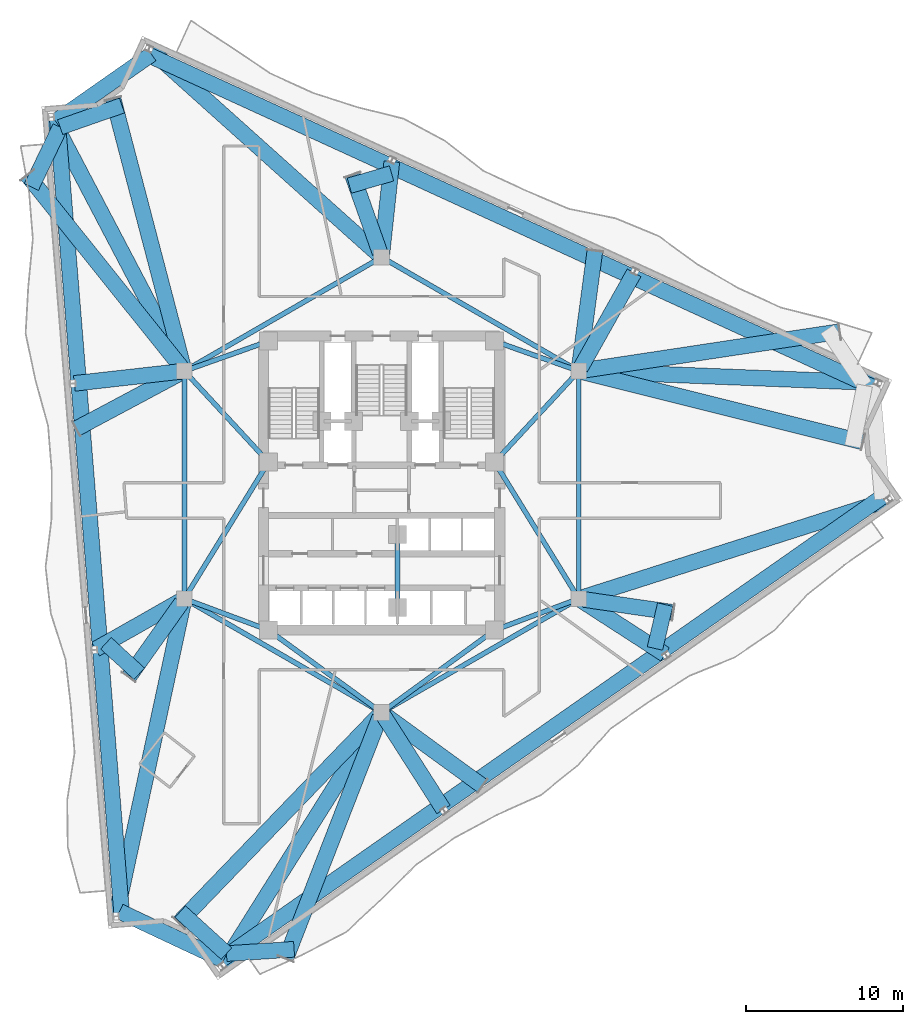
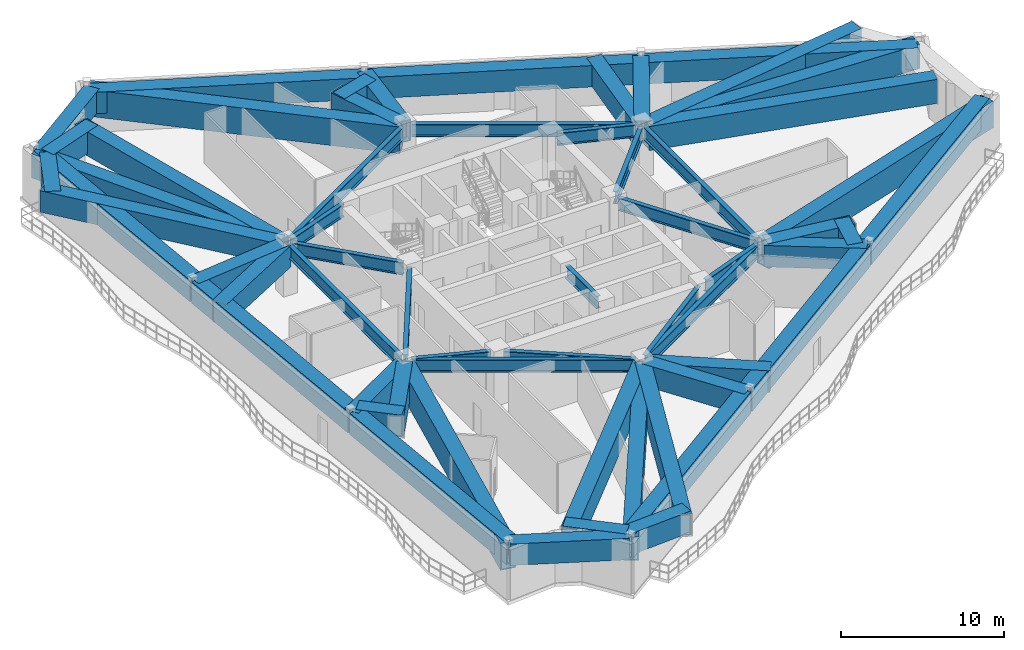
# One storey, part 3 of 14: 59 beams.
"""IFC4 building model written with IfcOpenShell, lengths in metres."""

from ifc_helpers import new_model, si_unit, direction, frame, origin, origin_2d, place, context, subcontext, project, spatial, hollow_rectangle, i_section, extrude, material, material_profile, profile_set, type_object, element, save


model = new_model("IFC4")

# Units and contexts
model_context = context("Model", 3, precision=1e-05, world=origin(), true_north=direction((0.0, 1.0)))
body_context = subcontext(model_context, "Body", "Model", "MODEL_VIEW")
ifc_project = project(units=[si_unit("LENGTHUNIT", "METRE"), si_unit("AREAUNIT", "SQUARE_METRE"), si_unit("VOLUMEUNIT", "CUBIC_METRE"), si_unit("PLANEANGLEUNIT", "RADIAN"), si_unit("MASSUNIT", "GRAM", prefix="KILO")], contexts=[model_context])

# Site, building, storey
site_placement = place(None, origin())
site = spatial("IfcSite", under=ifc_project, at=site_placement, CompositionType="ELEMENT")
building_placement = place(site_placement, origin())
building = spatial("IfcBuilding", under=site, at=building_placement, Name="Apsidion Concourse Tower", CompositionType="ELEMENT")
storey_placement = place(building_placement, frame((0.0, 0.0, 222.89990234375)))
storey = spatial("IfcBuildingStorey", under=building, at=storey_placement, Name="L52", CompositionType="ELEMENT", Elevation=222.89990234375)

# Beams
ifc_material_1 = material(Name="Structural steel ASTM A992 Grade 50", Category="steel")
ifc_material_profile_1 = material_profile(ifc_material_1, i_section(OverallWidth=0.31005859375, OverallDepth=0.931884765625, WebThickness=0.02099609375, FlangeThickness=0.034423828125, at=origin_2d()), Name="W36X210")
ifc_profile_set_1 = profile_set([ifc_material_profile_1], Name="Structural steel ASTM A992 Grade 50")
beam_type_1 = type_object("IfcBeamType", Name="BM-G-W36", PredefinedType="USERDEFINED", material=ifc_profile_set_1)
beam_1_placement = place(storey_placement, frame((-12.185302734375, -7.389892578125, 3.2841796875), z_axis=(0.936913021145, -0.349562570664, 0.0), x_axis=(0.349562570664, 0.936913021145, 0.0)))
element("IfcBeam", 1, at=beam_1_placement, inside=storey, type_object=beam_type_1, Name="L52 Core Coupling Girder IC1-SC1", ObjectType="GIRDER", PredefinedType="USERDEFINED", context=body_context, shape_type="SweptSolid", body=[
    extrude(i_section(OverallWidth=0.31005859375, OverallDepth=0.931884765625, WebThickness=0.02099609375, FlangeThickness=0.034423828125, at=origin_2d()), origin(), (0.0, 0.0, 1.0), 4.921142578125),
])
beam_2_placement = place(storey_placement, frame((-12.35009765625, -6.909423828125, 3.2841796875), z_axis=(0.524524009763, 0.851395656074, 0.0), x_axis=(-0.851395656074, 0.524524009763, 0.0)))
element("IfcBeam", 2, at=beam_2_placement, inside=storey, type_object=beam_type_1, Name="L52 Core Coupling Girder IC1-SC6", ObjectType="GIRDER", PredefinedType="USERDEFINED", context=body_context, shape_type="SweptSolid", body=[
    extrude(i_section(OverallWidth=0.31005859375, OverallDepth=0.931884765625, WebThickness=0.02099609375, FlangeThickness=0.034423828125, at=origin_2d()), origin(), (0.0, 0.0, 1.0), 9.41845703125),
])
beam_3_placement = place(storey_placement, frame((12.185302734375, -7.389892578125, 3.2841796875), z_axis=(-0.936913021145, -0.349562570664, 0.0), x_axis=(0.349562570664, -0.936913021145, 0.0)))
element("IfcBeam", 3, at=beam_3_placement, inside=storey, type_object=beam_type_1, Name="L52 Core Coupling Girder IC2-SC2", ObjectType="GIRDER", PredefinedType="USERDEFINED", context=body_context, shape_type="SweptSolid", body=[
    extrude(i_section(OverallWidth=0.31005859375, OverallDepth=0.931884765625, WebThickness=0.02099609375, FlangeThickness=0.034423828125, at=origin_2d()), origin(), (0.0, 0.0, 1.0), 4.921142578125),
])
beam_4_placement = place(storey_placement, frame((12.35009765625, -6.909423828125, 3.2841796875), z_axis=(-0.524524009763, 0.851395656074, 0.0), x_axis=(-0.851395656074, -0.524524009763, 0.0)))
element("IfcBeam", 4, at=beam_4_placement, inside=storey, type_object=beam_type_1, Name="L52 Core Coupling Girder IC2-SC3", ObjectType="GIRDER", PredefinedType="USERDEFINED", context=body_context, shape_type="SweptSolid", body=[
    extrude(i_section(OverallWidth=0.31005859375, OverallDepth=0.931884765625, WebThickness=0.02099609375, FlangeThickness=0.034423828125, at=origin_2d()), origin(), (0.0, 0.0, 1.0), 9.41845703125),
])
beam_5_placement = place(storey_placement, frame((12.28857421875, 6.956298828125, 3.2841796875), z_axis=(-0.678712876106, -0.73440372535, 0.0), x_axis=(0.73440372535, -0.678712876106, 0.0)))
element("IfcBeam", 5, at=beam_5_placement, inside=storey, type_object=beam_type_1, Name="L52 Core Coupling Girder IC3-SC3", ObjectType="GIRDER", PredefinedType="USERDEFINED", context=body_context, shape_type="SweptSolid", body=[
    extrude(i_section(OverallWidth=0.31005859375, OverallDepth=0.931884765625, WebThickness=0.02099609375, FlangeThickness=0.034423828125, at=origin_2d()), origin(), (0.0, 0.0, 1.0), 7.097412109375),
])
beam_6_placement = place(storey_placement, frame((12.18310546875, 7.383544921875, 3.2841796875), z_axis=(-0.942533844539, 0.334110688094, 0.0), x_axis=(-0.334110688094, -0.942533844539, 0.0)))
element("IfcBeam", 6, at=beam_6_placement, inside=storey, type_object=beam_type_1, Name="L52 Core Coupling Girder IC3-SC4", ObjectType="GIRDER", PredefinedType="USERDEFINED", context=body_context, shape_type="SweptSolid", body=[
    extrude(i_section(OverallWidth=0.31005859375, OverallDepth=0.931884765625, WebThickness=0.02099609375, FlangeThickness=0.034423828125, at=origin_2d()), origin(), (0.0, 0.0, 1.0), 4.886962890625),
])
beam_7_placement = place(storey_placement, frame((-12.28857421875, 6.956298828125, 3.2841796875), z_axis=(0.678712876106, -0.73440372535, 0.0), x_axis=(0.73440372535, 0.678712876106, 0.0)))
element("IfcBeam", 7, at=beam_7_placement, inside=storey, type_object=beam_type_1, Name="L52 Core Coupling Girder IC5-SC6", ObjectType="GIRDER", PredefinedType="USERDEFINED", context=body_context, shape_type="SweptSolid", body=[
    extrude(i_section(OverallWidth=0.31005859375, OverallDepth=0.931884765625, WebThickness=0.02099609375, FlangeThickness=0.034423828125, at=origin_2d()), origin(), (0.0, 0.0, 1.0), 7.097412109375),
])
beam_8_placement = place(storey_placement, frame((-12.18310546875, 7.383544921875, 3.2841796875), z_axis=(0.942533844539, 0.334110688094, 0.0), x_axis=(-0.334110688094, 0.942533844539, 0.0)))
element("IfcBeam", 8, at=beam_8_placement, inside=storey, type_object=beam_type_1, Name="L52 Core Coupling Girder IC5-SC5", ObjectType="GIRDER", PredefinedType="USERDEFINED", context=body_context, shape_type="SweptSolid", body=[
    extrude(i_section(OverallWidth=0.31005859375, OverallDepth=0.931884765625, WebThickness=0.02099609375, FlangeThickness=0.034423828125, at=origin_2d()), origin(), (0.0, 0.0, 1.0), 4.886962890625),
])
for number, where, z_axis, x_axis, name in (
    (9, (-0.3232421875, -14.264404296875, 3.2841796875), (-0.807993498909, 0.589191399905, 0.0), (-0.589191399905, -0.807993498909, 0.0), "L52 Core Coupling Girder IC6-SC1"),
    (10, (0.3232421875, -14.264404296875, 3.2841796875), (0.807993498909, 0.589191399905, 0.0), (-0.589191399905, 0.807993498909, 0.0), "L52 Core Coupling Girder IC6-SC2"),
):
    element("IfcBeam", number, at=place(storey_placement, frame(where, z_axis=z_axis, x_axis=x_axis)), inside=storey, type_object=beam_type_1, Name=name, ObjectType="GIRDER", PredefinedType="USERDEFINED", context=body_context, shape_type="SweptSolid", body=[
        extrude(i_section(OverallWidth=0.31005859375, OverallDepth=0.931884765625, WebThickness=0.02099609375, FlangeThickness=0.034423828125, at=origin_2d()), origin(), (0.0, 0.0, 1.0), 8.11083984375),
    ])
beam_9_placement = place(storey_placement, frame((-12.56005859375, -6.85009765625, 3.2841796875), z_axis=(0.0, 1.0, 0.0), x_axis=(-1.0, 0.0, 0.0)))
element("IfcBeam", 11, at=beam_9_placement, inside=storey, type_object=beam_type_1, Name="L52 Core Coupling Girder IC1-IC5", ObjectType="GIRDER", PredefinedType="USERDEFINED", context=body_context, shape_type="SweptSolid", body=[
    extrude(i_section(OverallWidth=0.31005859375, OverallDepth=0.931884765625, WebThickness=0.02099609375, FlangeThickness=0.034423828125, at=origin_2d()), origin(), (0.0, 0.0, 1.0), 13.7001953125),
])
for number, where, z_axis, x_axis, name in (
    (12, (-12.213623046875, 7.449951171875, 3.2841796875), (0.866070471464, 0.499921932364, 0.0), (-0.499921932364, 0.866070471464, 0.0), "L52 Core Coupling Girder IC5-IC4"),
    (13, (0.346435546875, 14.300048828125, 3.2841796875), (0.866070471464, -0.499921932364, 0.0), (0.499921932364, 0.866070471464, 0.0), "L52 Core Coupling Girder IC4-IC3"),
):
    element("IfcBeam", number, at=place(storey_placement, frame(where, z_axis=z_axis, x_axis=x_axis)), inside=storey, type_object=beam_type_1, Name=name, ObjectType="GIRDER", PredefinedType="USERDEFINED", context=body_context, shape_type="SweptSolid", body=[
        extrude(i_section(OverallWidth=0.31005859375, OverallDepth=0.931884765625, WebThickness=0.02099609375, FlangeThickness=0.034423828125, at=origin_2d()), origin(), (0.0, 0.0, 1.0), 13.702392578125),
    ])
beam_10_placement = place(storey_placement, frame((12.56005859375, 6.85009765625, 3.2841796875), z_axis=(0.0, -1.0, 0.0), x_axis=(1.0, 0.0, 0.0)))
element("IfcBeam", 14, at=beam_10_placement, inside=storey, type_object=beam_type_1, Name="L52 Core Coupling Girder IC3-IC2", ObjectType="GIRDER", PredefinedType="USERDEFINED", context=body_context, shape_type="SweptSolid", body=[
    extrude(i_section(OverallWidth=0.31005859375, OverallDepth=0.931884765625, WebThickness=0.02099609375, FlangeThickness=0.034423828125, at=origin_2d()), origin(), (0.0, 0.0, 1.0), 13.7001953125),
])
for number, where, z_axis, x_axis, name in (
    (15, (12.213623046875, -7.449951171875, 3.2841796875), (-0.866070471464, -0.499921932364, 0.0), (0.499921932364, -0.866070471464, 0.0), "L52 Core Coupling Girder IC2-IC6"),
    (16, (-0.346435546875, -14.300048828125, 3.2841796875), (-0.866070471464, 0.499921932364, 0.0), (-0.499921932364, -0.866070471464, 0.0), "L52 Core Coupling Girder IC6-IC1"),
):
    element("IfcBeam", number, at=place(storey_placement, frame(where, z_axis=z_axis, x_axis=x_axis)), inside=storey, type_object=beam_type_1, Name=name, ObjectType="GIRDER", PredefinedType="USERDEFINED", context=body_context, shape_type="SweptSolid", body=[
        extrude(i_section(OverallWidth=0.31005859375, OverallDepth=0.931884765625, WebThickness=0.02099609375, FlangeThickness=0.034423828125, at=origin_2d()), origin(), (0.0, 0.0, 1.0), 13.702392578125),
    ])
beam_11_placement = place(storey_placement, frame((1.02490234375, -3.550048828125, 3.2841796875), z_axis=(0.0, -1.0, 0.0), x_axis=(1.0, 0.0, 0.0)))
element("IfcBeam", 17, at=beam_11_placement, inside=storey, type_object=beam_type_1, Name="L52 Core Coupling Girder CC5-CC6", ObjectType="GIRDER", PredefinedType="USERDEFINED", context=body_context, shape_type="SweptSolid", body=[
    extrude(i_section(OverallWidth=0.31005859375, OverallDepth=0.931884765625, WebThickness=0.02099609375, FlangeThickness=0.034423828125, at=origin_2d()), origin(), (0.0, 0.0, 1.0), 3.849853515625),
])
ifc_material_2 = material(Name="Structural steel ASTM A572 Grade 50", Category="steel")
ifc_material_profile_2 = material_profile(ifc_material_2, hollow_rectangle(XDim=1.0, YDim=1.60009765625, WallThickness=0.074951171875, at=origin_2d()), Name="BOX1600X1000X75")
ifc_profile_set_2 = profile_set([ifc_material_profile_2], Name="Structural steel ASTM A572 Grade 50")
beam_type_2 = type_object("IfcBeamType", Name="BM-TR-1600", PredefinedType="USERDEFINED", material=ifc_profile_set_2)
for number, where, z_axis, x_axis, name in (
    (18, (-20.65234375, 23.36376953125, 2.9501953125), (0.080741594284, -0.996735067584, 0.0), (0.996735067584, 0.080741594284, 0.0), "L52 Perimeter Spandrel Girder SP-01"),
    (19, (-19.2783203125, 6.402099609375, 2.9501953125), (0.080741594284, -0.996735067584, 0.0), (0.996735067584, 0.080741594284, 0.0), "L52 Perimeter Spandrel Girder SP-02"),
    (20, (-17.904296875, -10.5595703125, 2.9501953125), (0.080741594284, -0.996735067584, 0.0), (0.996735067584, 0.080741594284, 0.0), "L52 Perimeter Spandrel Girder SP-03"),
):
    element("IfcBeam", number, at=place(storey_placement, frame(where, z_axis=z_axis, x_axis=x_axis)), inside=storey, type_object=beam_type_2, Name=name, ObjectType="GIRDER", PredefinedType="USERDEFINED", context=body_context, shape_type="SweptSolid", body=[
        extrude(hollow_rectangle(XDim=1.0, YDim=1.60009765625, WallThickness=0.074951171875, at=origin_2d()), origin(), (0.0, 0.0, 1.0), 16.857177734375),
    ])
beam_12_placement = place(storey_placement, frame((-16.681396484375, -27.162353515625, 2.9501953125), z_axis=(0.904949375285, -0.425519245359, 0.0), x_axis=(0.425519245359, 0.904949375285, 0.0)))
element("IfcBeam", 21, at=beam_12_placement, inside=storey, type_object=beam_type_2, Name="L52 Perimeter Spandrel Girder SP-04", ObjectType="GIRDER", PredefinedType="USERDEFINED", context=body_context, shape_type="SweptSolid", body=[
    extrude(hollow_rectangle(XDim=1.0, YDim=1.60009765625, WallThickness=0.074951171875, at=origin_2d()), origin(), (0.0, 0.0, 1.0), 7.32275390625),
])
beam_13_placement = place(storey_placement, frame((-10.29638671875, -30.299072265625, 2.9501953125), z_axis=(0.819154116545, 0.573573476851, 0.0), x_axis=(-0.573573476851, 0.819154116545, 0.0)))
element("IfcBeam", 22, at=beam_13_placement, inside=storey, type_object=beam_type_2, Name="L52 Perimeter Spandrel Girder SP-05", ObjectType="GIRDER", PredefinedType="USERDEFINED", context=body_context, shape_type="SweptSolid", body=[
    extrude(hollow_rectangle(XDim=1.0, YDim=1.60009765625, WallThickness=0.074951171875, at=origin_2d()), origin(), (0.0, 0.0, 1.0), 17.10205078125),
])
beam_14_placement = place(storey_placement, frame((3.84375, -20.39794921875, 2.9501953125), z_axis=(0.819147409292, 0.573583055755, 0.0), x_axis=(-0.573583055755, 0.819147409292, 0.0)))
element("IfcBeam", 23, at=beam_14_placement, inside=storey, type_object=beam_type_2, Name="L52 Perimeter Spandrel Girder SP-06", ObjectType="GIRDER", PredefinedType="USERDEFINED", context=body_context, shape_type="SweptSolid", body=[
    extrude(hollow_rectangle(XDim=1.0, YDim=1.60009765625, WallThickness=0.074951171875, at=origin_2d()), origin(), (0.0, 0.0, 1.0), 17.102294921875),
])
beam_15_placement = place(storey_placement, frame((17.984130859375, -10.49658203125, 2.9501953125), z_axis=(0.819160823796, 0.573563897711, 0.0), x_axis=(-0.573563897711, 0.819160823796, 0.0)))
element("IfcBeam", 24, at=beam_15_placement, inside=storey, type_object=beam_type_2, Name="L52 Perimeter Spandrel Girder SP-07", ObjectType="GIRDER", PredefinedType="USERDEFINED", context=body_context, shape_type="SweptSolid", body=[
    extrude(hollow_rectangle(XDim=1.0, YDim=1.60009765625, WallThickness=0.074951171875, at=origin_2d()), origin(), (0.0, 0.0, 1.0), 17.10205078125),
])
for number, where, z_axis, x_axis, name in (
    (25, (31.36962890625, 6.18701171875, 2.9501953125), (-0.909003556924, 0.416788355764, 0.0), (-0.416788355764, -0.909003556924, 0.0), "L52 Perimeter Spandrel Girder SP-09"),
    (26, (15.90087890625, 13.279541015625, 2.9501953125), (-0.909003556924, 0.416788355764, 0.0), (-0.416788355764, -0.909003556924, 0.0), "L52 Perimeter Spandrel Girder SP-10"),
    (27, (0.43212890625, 20.3720703125, 2.9501953125), (-0.909003556924, 0.416788355764, 0.0), (-0.416788355764, -0.909003556924, 0.0), "L52 Perimeter Spandrel Girder SP-11"),
):
    element("IfcBeam", number, at=place(storey_placement, frame(where, z_axis=z_axis, x_axis=x_axis)), inside=storey, type_object=beam_type_2, Name=name, ObjectType="GIRDER", PredefinedType="USERDEFINED", context=body_context, shape_type="SweptSolid", body=[
        extrude(hollow_rectangle(XDim=1.0, YDim=1.60009765625, WallThickness=0.074951171875, at=origin_2d()), origin(), (0.0, 0.0, 1.0), 16.857177734375),
    ])
beam_16_placement = place(storey_placement, frame((-14.653076171875, 27.41943359375, 2.9501953125), z_axis=(-0.819154914759, -0.573572336873, 0.0), x_axis=(0.573572336873, -0.819154914759, 0.0)))
element("IfcBeam", 28, at=beam_16_placement, inside=storey, type_object=beam_type_2, Name="L52 Perimeter Spandrel Girder SP-12", ObjectType="GIRDER", PredefinedType="USERDEFINED", context=body_context, shape_type="SweptSolid", body=[
    extrude(hollow_rectangle(XDim=1.0, YDim=1.60009765625, WallThickness=0.074951171875, at=origin_2d()), origin(), (0.0, 0.0, 1.0), 7.447998046875),
])
beam_17_placement = place(storey_placement, frame((-12.778564453125, 7.225341796875, 2.9501953125), z_axis=(-0.993738563009, -0.111730337821, 0.0), x_axis=(0.111730337821, -0.993738563009, 0.0)))
element("IfcBeam", 29, at=beam_17_placement, inside=storey, type_object=beam_type_2, Name="L52 Radial Floor Girder RAD-02", ObjectType="GIRDER", PredefinedType="USERDEFINED", context=body_context, shape_type="SweptSolid", body=[
    extrude(hollow_rectangle(XDim=1.0, YDim=1.60009765625, WallThickness=0.074951171875, at=origin_2d()), origin(), (0.0, 0.0, 1.0), 6.828369140625),
])
beam_18_placement = place(storey_placement, frame((-12.751220703125, -7.35888671875, 2.9501953125), z_axis=(-0.869137581248, -0.494570384134, 0.0), x_axis=(0.494570384134, -0.869137581248, 0.0)))
element("IfcBeam", 30, at=beam_18_placement, inside=storey, type_object=beam_type_2, Name="L52 Radial Floor Girder RAD-03", ObjectType="GIRDER", PredefinedType="USERDEFINED", context=body_context, shape_type="SweptSolid", body=[
    extrude(hollow_rectangle(XDim=1.0, YDim=1.60009765625, WallThickness=0.074951171875, at=origin_2d()), origin(), (0.0, 0.0, 1.0), 6.272216796875),
])
beam_19_placement = place(storey_placement, frame((0.118408203125, -14.685302734375, 2.9501953125), z_axis=(0.538373682335, -0.842706222933, 0.0), x_axis=(0.842706222933, 0.538373682335, 0.0)))
element("IfcBeam", 31, at=beam_19_placement, inside=storey, type_object=beam_type_2, Name="L52 Radial Floor Girder RAD-06", ObjectType="GIRDER", PredefinedType="USERDEFINED", context=body_context, shape_type="SweptSolid", body=[
    extrude(hollow_rectangle(XDim=1.0, YDim=1.60009765625, WallThickness=0.074951171875, at=origin_2d()), origin(), (0.0, 0.0, 1.0), 7.102783203125),
])
beam_20_placement = place(storey_placement, frame((12.744873046875, -7.369384765625, 2.9501953125), z_axis=(0.839870608356, -0.542786662714, 0.0), x_axis=(0.542786662714, 0.839870608356, 0.0)))
element("IfcBeam", 32, at=beam_20_placement, inside=storey, type_object=beam_type_2, Name="L52 Radial Floor Girder RAD-07", ObjectType="GIRDER", PredefinedType="USERDEFINED", context=body_context, shape_type="SweptSolid", body=[
    extrude(hollow_rectangle(XDim=1.0, YDim=1.60009765625, WallThickness=0.074951171875, at=origin_2d()), origin(), (0.0, 0.0, 1.0), 6.319580078125),
])
beam_21_placement = place(storey_placement, frame((12.66796875, 7.441650390625, 2.9501953125), z_axis=(0.4907642116, 0.871292424283, 0.0), x_axis=(-0.871292424283, 0.4907642116, 0.0)))
element("IfcBeam", 33, at=beam_21_placement, inside=storey, type_object=beam_type_2, Name="L52 Radial Floor Girder RAD-10", ObjectType="GIRDER", PredefinedType="USERDEFINED", context=body_context, shape_type="SweptSolid", body=[
    extrude(hollow_rectangle(XDim=1.0, YDim=1.60009765625, WallThickness=0.074951171875, at=origin_2d()), origin(), (0.0, 0.0, 1.0), 6.95849609375),
])
beam_22_placement = place(storey_placement, frame((0.0234375, 14.71875, 2.9501953125), z_axis=(0.106642710953, 0.994297406313, 0.0), x_axis=(-0.994297406313, 0.106642710953, 0.0)))
element("IfcBeam", 34, at=beam_22_placement, inside=storey, type_object=beam_type_2, Name="L52 Radial Floor Girder RAD-11", ObjectType="GIRDER", PredefinedType="USERDEFINED", context=body_context, shape_type="SweptSolid", body=[
    extrude(hollow_rectangle(XDim=1.0, YDim=1.60009765625, WallThickness=0.074951171875, at=origin_2d()), origin(), (0.0, 0.0, 1.0), 5.899658203125),
])
beam_23_placement = place(storey_placement, frame((-12.74755859375, 7.484130859375, 2.9501953125), z_axis=(-0.62547695244, 0.780242643007, 0.0), x_axis=(-0.780242643007, -0.62547695244, 0.0)))
element("IfcBeam", 35, at=beam_23_placement, inside=storey, type_object=beam_type_2, Name="L52 Block-Step Radial Transfer Girder NTR-01", ObjectType="GIRDER", PredefinedType="USERDEFINED", context=body_context, shape_type="SweptSolid", body=[
    extrude(hollow_rectangle(XDim=1.0, YDim=1.60009765625, WallThickness=0.074951171875, at=origin_2d()), origin(), (0.0, 0.0, 1.0), 15.681884765625),
])
beam_24_placement = place(storey_placement, frame((-20.469482421875, 22.780517578125, 2.9501953125), z_axis=(-0.432749830615, -0.901514050974, 0.0), x_axis=(0.901514050974, -0.432749830615, 0.0)))
element("IfcBeam", 36, at=beam_24_placement, inside=storey, type_object=beam_type_2, Name="L52 Block-Step Perimeter Transfer Bridge NBR-01", ObjectType="GIRDER", PredefinedType="USERDEFINED", context=body_context, shape_type="SweptSolid", body=[
    extrude(hollow_rectangle(XDim=1.0, YDim=1.60009765625, WallThickness=0.074951171875, at=origin_2d()), origin(), (0.0, 0.0, 1.0), 4.22998046875),
])
beam_25_placement = place(storey_placement, frame((-12.82470703125, 7.108642578125, 2.9501953125), z_axis=(-0.882152234978, -0.4709643663, 0.0), x_axis=(0.4709643663, -0.882152234978, 0.0)))
element("IfcBeam", 37, at=beam_25_placement, inside=storey, type_object=beam_type_2, Name="L52 Block-Step Radial Transfer Girder NTR-02", ObjectType="GIRDER", PredefinedType="USERDEFINED", context=body_context, shape_type="SweptSolid", body=[
    extrude(hollow_rectangle(XDim=1.0, YDim=1.60009765625, WallThickness=0.074951171875, at=origin_2d()), origin(), (0.0, 0.0, 1.0), 7.478271484375),
])
beam_26_placement = place(storey_placement, frame((-12.7333984375, -7.49462890625, 2.9501953125), z_axis=(-0.578501543737, -0.815681288184, 0.0), x_axis=(0.815681288184, -0.578501543737, 0.0)))
element("IfcBeam", 38, at=beam_26_placement, inside=storey, type_object=beam_type_2, Name="L52 Block-Step Radial Transfer Girder NTR-03", ObjectType="GIRDER", PredefinedType="USERDEFINED", context=body_context, shape_type="SweptSolid", body=[
    extrude(hollow_rectangle(XDim=1.0, YDim=1.60009765625, WallThickness=0.074951171875, at=origin_2d()), origin(), (0.0, 0.0, 1.0), 5.804443359375),
])
beam_27_placement = place(storey_placement, frame((-17.552490234375, -10.0869140625, 2.9501953125), z_axis=(0.737442920808, -0.675409459921, 0.0), x_axis=(0.675409459921, 0.737442920808, 0.0)))
element("IfcBeam", 39, at=beam_27_placement, inside=storey, type_object=beam_type_2, Name="L52 Block-Step Perimeter Transfer Bridge NBR-03", ObjectType="GIRDER", PredefinedType="USERDEFINED", context=body_context, shape_type="SweptSolid", body=[
    extrude(hollow_rectangle(XDim=1.0, YDim=1.60009765625, WallThickness=0.074951171875, at=origin_2d()), origin(), (0.0, 0.0, 1.0), 2.876953125),
])
beam_28_placement = place(storey_placement, frame((-9.876953125, -29.84912109375, 2.9501953125), z_axis=(-0.740226259575, 0.672357854594, 0.0), x_axis=(-0.672357854594, -0.740226259575, 0.0)))
element("IfcBeam", 40, at=beam_28_placement, inside=storey, type_object=beam_type_2, Name="L52 Block-Step Perimeter Transfer Bridge NBR-04", ObjectType="GIRDER", PredefinedType="USERDEFINED", context=body_context, shape_type="SweptSolid", body=[
    extrude(hollow_rectangle(XDim=1.0, YDim=1.60009765625, WallThickness=0.074951171875, at=origin_2d()), origin(), (0.0, 0.0, 1.0), 3.97509765625),
])
beam_29_placement = place(storey_placement, frame((-0.10888671875, -14.779541015625, 2.9501953125), z_axis=(-0.362539740313, -0.931968313138, 0.0), x_axis=(0.931968313138, -0.362539740313, 0.0)))
element("IfcBeam", 41, at=beam_29_placement, inside=storey, type_object=beam_type_2, Name="L52 Block-Step Radial Transfer Girder NTR-05", ObjectType="GIRDER", PredefinedType="USERDEFINED", context=body_context, shape_type="SweptSolid", body=[
    extrude(hollow_rectangle(XDim=1.0, YDim=1.60009765625, WallThickness=0.074951171875, at=origin_2d()), origin(), (0.0, 0.0, 1.0), 16.51025390625),
])
beam_30_placement = place(storey_placement, frame((-9.876953125, -29.84912109375, 2.9501953125), z_axis=(0.997948221175, 0.06402614976, 0.0), x_axis=(-0.06402614976, 0.997948221175, 0.0)))
element("IfcBeam", 42, at=beam_30_placement, inside=storey, type_object=beam_type_2, Name="L52 Block-Step Perimeter Transfer Bridge NBR-05", ObjectType="GIRDER", PredefinedType="USERDEFINED", context=body_context, shape_type="SweptSolid", body=[
    extrude(hollow_rectangle(XDim=1.0, YDim=1.60009765625, WallThickness=0.074951171875, at=origin_2d()), origin(), (0.0, 0.0, 1.0), 4.31640625),
])
beam_31_placement = place(storey_placement, frame((0.24267578125, -14.676513671875, 2.9501953125), z_axis=(0.808558730522, -0.588415481863, 0.0), x_axis=(0.588415481863, 0.808558730522, 0.0)))
element("IfcBeam", 43, at=beam_31_placement, inside=storey, type_object=beam_type_2, Name="L52 Block-Step Radial Transfer Girder NTR-06", ObjectType="GIRDER", PredefinedType="USERDEFINED", context=body_context, shape_type="SweptSolid", body=[
    extrude(hollow_rectangle(XDim=1.0, YDim=1.60009765625, WallThickness=0.074951171875, at=origin_2d()), origin(), (0.0, 0.0, 1.0), 7.62109375),
])
beam_32_placement = place(storey_placement, frame((12.85693359375, -7.293212890625, 2.9501953125), z_axis=(0.989654930818, -0.143468177337, 0.0), x_axis=(0.143468177337, 0.989654930818, 0.0)))
element("IfcBeam", 44, at=beam_32_placement, inside=storey, type_object=beam_type_2, Name="L52 Block-Step Radial Transfer Girder NTR-07", ObjectType="GIRDER", PredefinedType="USERDEFINED", context=body_context, shape_type="SweptSolid", body=[
    extrude(hollow_rectangle(XDim=1.0, YDim=1.60009765625, WallThickness=0.074951171875, at=origin_2d()), origin(), (0.0, 0.0, 1.0), 5.76025390625),
])
beam_33_placement = place(storey_placement, frame((17.4072265625, -10.41748046875, 2.9501953125), z_axis=(0.22864047426, 0.973510931387, 0.0), x_axis=(-0.973510931387, 0.22864047426, 0.0)))
element("IfcBeam", 45, at=beam_33_placement, inside=storey, type_object=beam_type_2, Name="L52 Block-Step Perimeter Transfer Bridge NBR-07", ObjectType="GIRDER", PredefinedType="USERDEFINED", context=body_context, shape_type="SweptSolid", body=[
    extrude(hollow_rectangle(XDim=1.0, YDim=1.60009765625, WallThickness=0.074951171875, at=origin_2d()), origin(), (0.0, 0.0, 1.0), 2.865966796875),
])
beam_34_placement = place(storey_placement, frame((12.856689453125, 7.294921875, 2.9501953125), z_axis=(0.988773257794, 0.14942370853, 0.0), x_axis=(-0.14942370853, 0.988773257794, 0.0)))
element("IfcBeam", 46, at=beam_34_placement, inside=storey, type_object=beam_type_2, Name="L52 Block-Step Radial Transfer Girder NTR-09", ObjectType="GIRDER", PredefinedType="USERDEFINED", context=body_context, shape_type="SweptSolid", body=[
    extrude(hollow_rectangle(XDim=1.0, YDim=1.60009765625, WallThickness=0.074951171875, at=origin_2d()), origin(), (0.0, 0.0, 1.0), 16.48583984375),
])
beam_35_placement = place(storey_placement, frame((12.599853515625, 7.54736328125, 2.9501953125), z_axis=(0.132892312662, 0.991130482447, 0.0), x_axis=(-0.991130482447, 0.132892312662, 0.0)))
element("IfcBeam", 47, at=beam_35_placement, inside=storey, type_object=beam_type_2, Name="L52 Block-Step Radial Transfer Girder NTR-10", ObjectType="GIRDER", PredefinedType="USERDEFINED", context=body_context, shape_type="SweptSolid", body=[
    extrude(hollow_rectangle(XDim=1.0, YDim=1.60009765625, WallThickness=0.074951171875, at=origin_2d()), origin(), (0.0, 0.0, 1.0), 7.41845703125),
])
beam_36_placement = place(storey_placement, frame((-0.10009765625, 14.78271484375, 2.9501953125), z_axis=(-0.333411361759, 0.942781450735, 0.0), x_axis=(-0.942781450735, -0.333411361759, 0.0)))
element("IfcBeam", 48, at=beam_36_placement, inside=storey, type_object=beam_type_2, Name="L52 Block-Step Radial Transfer Girder NTR-11", ObjectType="GIRDER", PredefinedType="USERDEFINED", context=body_context, shape_type="SweptSolid", body=[
    extrude(hollow_rectangle(XDim=1.0, YDim=1.60009765625, WallThickness=0.074951171875, at=origin_2d()), origin(), (0.0, 0.0, 1.0), 5.248046875),
])
beam_37_placement = place(storey_placement, frame((0.635986328125, 19.83447265625, 2.9501953125), z_axis=(-0.960173991045, -0.279402768277, 0.0), x_axis=(0.279402768277, -0.960173991045, 0.0)))
element("IfcBeam", 49, at=beam_37_placement, inside=storey, type_object=beam_type_2, Name="L52 Block-Step Perimeter Transfer Bridge NBR-11", ObjectType="GIRDER", PredefinedType="USERDEFINED", context=body_context, shape_type="SweptSolid", body=[
    extrude(hollow_rectangle(XDim=1.0, YDim=1.60009765625, WallThickness=0.074951171875, at=origin_2d()), origin(), (0.0, 0.0, 1.0), 2.79443359375),
])
beam_38_placement = place(storey_placement, frame((-20.469482421875, 22.780517578125, 2.9501953125), z_axis=(0.943885722068, 0.330272226618, 0.0), x_axis=(-0.330272226618, 0.943885722068, 0.0)))
element("IfcBeam", 50, at=beam_38_placement, inside=storey, type_object=beam_type_2, Name="L52 Block-Step Perimeter Transfer Bridge NBR-12", ObjectType="GIRDER", PredefinedType="USERDEFINED", context=body_context, shape_type="SweptSolid", body=[
    extrude(hollow_rectangle(XDim=1.0, YDim=1.60009765625, WallThickness=0.074951171875, at=origin_2d()), origin(), (0.0, 0.0, 1.0), 4.172119140625),
])
ifc_material_profile_3 = material_profile(ifc_material_2, hollow_rectangle(XDim=1.0, YDim=1.800048828125, WallThickness=0.080078125, at=origin_2d()), Name="BOX1800X1000X80")
ifc_profile_set_3 = profile_set([ifc_material_profile_3], Name="Structural steel ASTM A572 Grade 50")
beam_type_3 = type_object("IfcBeamType", Name="BM-TR-1800", PredefinedType="USERDEFINED", material=ifc_profile_set_3)
beam_39_placement = place(storey_placement, frame((-12.662109375, 7.44482421875, 2.85009765625), z_axis=(-0.464502454228, 0.885571832217, 0.0), x_axis=(-0.885571832217, -0.464502454228, 0.0)))
element("IfcBeam", 51, at=beam_39_placement, inside=storey, type_object=beam_type_3, Name="L52 Radial Floor Girder RAD-01", ObjectType="GIRDER", PredefinedType="USERDEFINED", context=body_context, shape_type="SweptSolid", body=[
    extrude(hollow_rectangle(XDim=1.0, YDim=1.800048828125, WallThickness=0.080078125, at=origin_2d()), origin(), (0.0, 0.0, 1.0), 17.93115234375),
])
beam_40_placement = place(storey_placement, frame((-0.116943359375, -14.686279296875, 2.85009765625), z_axis=(-0.531745770751, -0.846904029562, 0.0), x_axis=(0.846904029562, -0.531745770751, 0.0)))
element("IfcBeam", 52, at=beam_40_placement, inside=storey, type_object=beam_type_3, Name="L52 Radial Floor Girder RAD-05", ObjectType="GIRDER", PredefinedType="USERDEFINED", context=body_context, shape_type="SweptSolid", body=[
    extrude(hollow_rectangle(XDim=1.0, YDim=1.800048828125, WallThickness=0.080078125, at=origin_2d()), origin(), (0.0, 0.0, 1.0), 18.7568359375),
])
beam_41_placement = place(storey_placement, frame((12.77978515625, 7.2412109375, 2.85009765625), z_axis=(0.999223835847, -0.039391951902, 0.0), x_axis=(0.039391951902, 0.999223835847, 0.0)))
element("IfcBeam", 53, at=beam_41_placement, inside=storey, type_object=beam_type_3, Name="L52 Radial Floor Girder RAD-09", ObjectType="GIRDER", PredefinedType="USERDEFINED", context=body_context, shape_type="SweptSolid", body=[
    extrude(hollow_rectangle(XDim=1.0, YDim=1.800048828125, WallThickness=0.080078125, at=origin_2d()), origin(), (0.0, 0.0, 1.0), 18.73583984375),
])
beam_42_placement = place(storey_placement, frame((-0.208251953125, -14.716064453125, 2.85009765625), z_axis=(-0.69397876699, -0.719995465935, 0.0), x_axis=(0.719995465935, -0.69397876699, 0.0)))
element("IfcBeam", 54, at=beam_42_placement, inside=storey, type_object=beam_type_3, Name="L52 Block-Step Radial Transfer Girder NTR-04", ObjectType="GIRDER", PredefinedType="USERDEFINED", context=body_context, shape_type="SweptSolid", body=[
    extrude(hollow_rectangle(XDim=1.0, YDim=1.800048828125, WallThickness=0.080078125, at=origin_2d()), origin(), (0.0, 0.0, 1.0), 18.298828125),
])
beam_43_placement = place(storey_placement, frame((12.85107421875, 7.17724609375, 2.85009765625), z_axis=(0.970155030239, -0.242485499159, 0.0), x_axis=(0.242485499159, 0.970155030239, 0.0)))
element("IfcBeam", 55, at=beam_43_placement, inside=storey, type_object=beam_type_3, Name="L52 Block-Step Radial Transfer Girder NTR-08", ObjectType="GIRDER", PredefinedType="USERDEFINED", context=body_context, shape_type="SweptSolid", body=[
    extrude(hollow_rectangle(XDim=1.0, YDim=1.800048828125, WallThickness=0.080078125, at=origin_2d()), origin(), (0.0, 0.0, 1.0), 18.33642578125),
])
beam_44_placement = place(storey_placement, frame((-12.635986328125, 7.540283203125, 2.85009765625), z_axis=(-0.253019763235, 0.967461110026, 0.0), x_axis=(-0.967461110026, -0.253019763235, 0.0)))
element("IfcBeam", 56, at=beam_44_placement, inside=storey, type_object=beam_type_3, Name="L52 Block-Step Radial Transfer Girder NTR-12", ObjectType="GIRDER", PredefinedType="USERDEFINED", context=body_context, shape_type="SweptSolid", body=[
    extrude(hollow_rectangle(XDim=1.0, YDim=1.800048828125, WallThickness=0.080078125, at=origin_2d()), origin(), (0.0, 0.0, 1.0), 17.619140625),
])
ifc_material_profile_4 = material_profile(ifc_material_2, hollow_rectangle(XDim=1.0, YDim=2.0, WallThickness=0.080078125, at=origin_2d()), Name="BOX2000X1000X80")
ifc_profile_set_4 = profile_set([ifc_material_profile_4], Name="Structural steel ASTM A572 Grade 50")
beam_type_4 = type_object("IfcBeamType", Name="BM-TR-2000", PredefinedType="USERDEFINED", material=ifc_profile_set_4)
beam_45_placement = place(storey_placement, frame((-12.606201171875, -7.465087890625, 2.75), z_axis=(-0.210551493457, -0.97758276816, 0.0), x_axis=(0.97758276816, -0.210551493457, 0.0)))
element("IfcBeam", 57, at=beam_45_placement, inside=storey, type_object=beam_type_4, Name="L52 Radial Floor Girder RAD-04", ObjectType="GIRDER", PredefinedType="USERDEFINED", context=body_context, shape_type="SweptSolid", body=[
    extrude(hollow_rectangle(XDim=1.0, YDim=2.0, WallThickness=0.080078125, at=origin_2d()), origin(), (0.0, 0.0, 1.0), 20.365966796875),
])
beam_46_placement = place(storey_placement, frame((12.76953125, -7.18310546875, 2.75), z_axis=(0.952593847726, 0.304244903449, 0.0), x_axis=(-0.304244903449, 0.952593847726, 0.0)))
element("IfcBeam", 58, at=beam_46_placement, inside=storey, type_object=beam_type_4, Name="L52 Radial Floor Girder RAD-08", ObjectType="GIRDER", PredefinedType="USERDEFINED", context=body_context, shape_type="SweptSolid", body=[
    extrude(hollow_rectangle(XDim=1.0, YDim=2.0, WallThickness=0.080078125, at=origin_2d()), origin(), (0.0, 0.0, 1.0), 20.378173828125),
])
beam_47_placement = place(storey_placement, frame((-0.163818359375, 14.64697265625, 2.75), z_axis=(-0.74450463884, 0.667617287632, 0.0), x_axis=(-0.667617287632, -0.74450463884, 0.0)))
element("IfcBeam", 59, at=beam_47_placement, inside=storey, type_object=beam_type_4, Name="L52 Radial Floor Girder RAD-12", ObjectType="GIRDER", PredefinedType="USERDEFINED", context=body_context, shape_type="SweptSolid", body=[
    extrude(hollow_rectangle(XDim=1.0, YDim=2.0, WallThickness=0.080078125, at=origin_2d()), origin(), (0.0, 0.0, 1.0), 19.566162109375),
])

save(model, "model.ifc")
